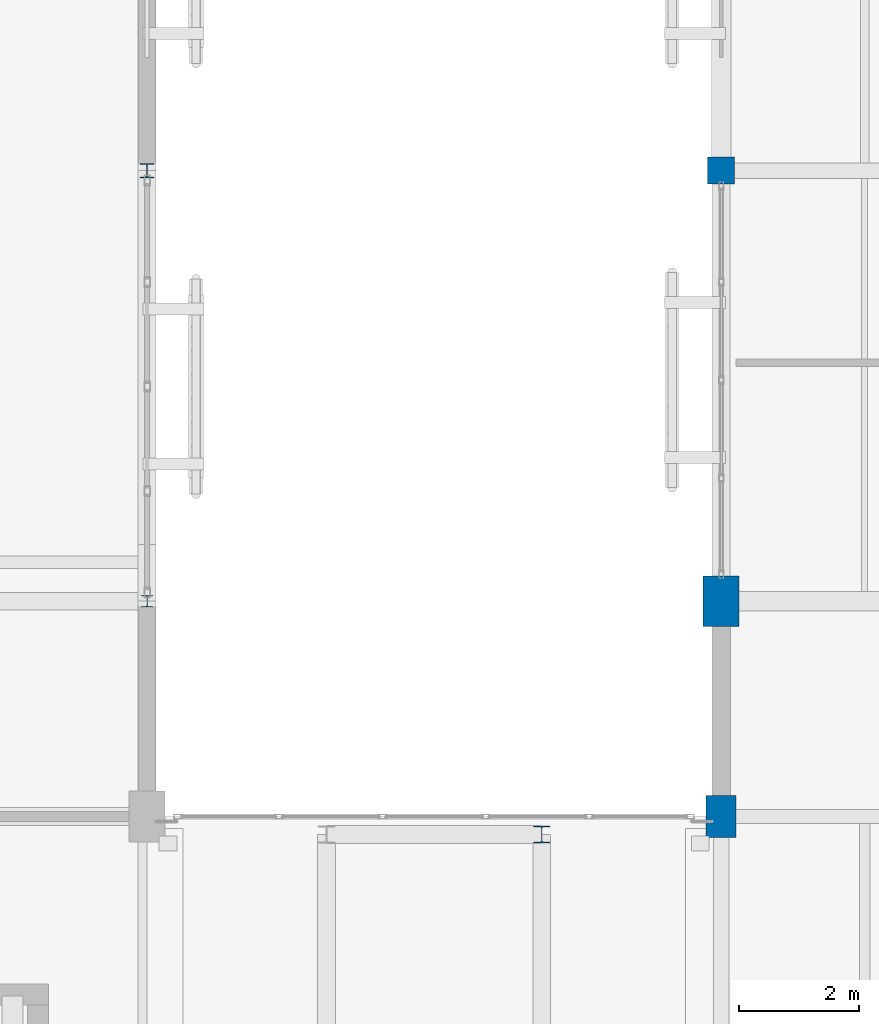
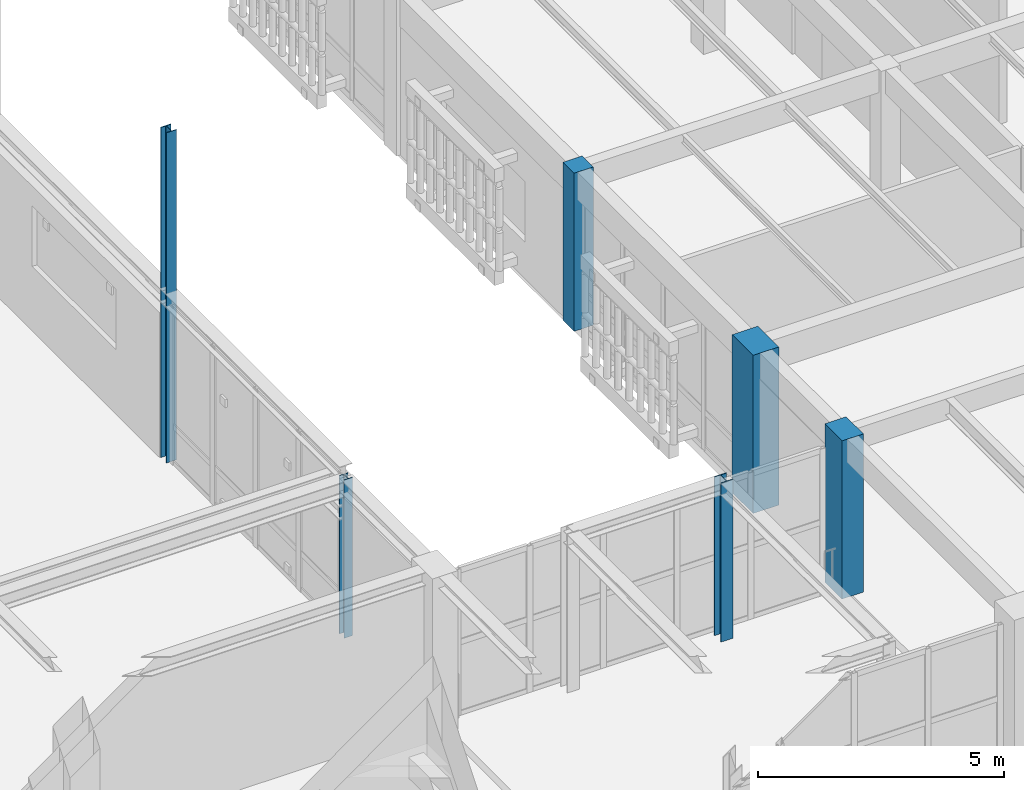
# One storey, part 14 of 170: 6 columns.
"""IFC4 building model written with IfcOpenShell, lengths in metres."""

from ifc_helpers import new_model, si_unit, direction, frame, origin, origin_2d, place, context, subcontext, project, spatial, rectangle, i_section, extrude, material, material_profile, profile_set, type_object, element, save


model = new_model("IFC4")

# Units and contexts
model_context = context("Model", 3, precision=1e-05, world=origin(), true_north=direction((0.0, 1.0)))
body_context = subcontext(model_context, "Body", "Model", "MODEL_VIEW")
ifc_project = project(units=[si_unit("LENGTHUNIT", "METRE"), si_unit("AREAUNIT", "SQUARE_METRE"), si_unit("VOLUMEUNIT", "CUBIC_METRE"), si_unit("PLANEANGLEUNIT", "RADIAN"), si_unit("MASSUNIT", "GRAM", prefix="KILO")], contexts=[model_context])

# Site, building, storey
site_placement = place(None, origin())
site = spatial("IfcSite", under=ifc_project, at=site_placement, CompositionType="ELEMENT")
building_placement = place(site_placement, origin())
building = spatial("IfcBuilding", under=site, at=building_placement, Name="Mazaris Harbour Polytechnic", CompositionType="ELEMENT")
storey_placement = place(building_placement, frame((0.0, 0.0, 5.39990234375)))
storey = spatial("IfcBuildingStorey", under=building, at=storey_placement, Name="L01", CompositionType="ELEMENT", Elevation=5.39990234375)

# Columns
ifc_material_1 = material(Name="Concrete C40/50", Category="concrete")
ifc_material_profile_1 = material_profile(ifc_material_1, rectangle(XDim=0.449951171875, YDim=0.449951171875, at=origin_2d()), Name="RECT450x450")
ifc_profile_set_1 = profile_set([ifc_material_profile_1], Name="Concrete C40/50")
column_type_1 = type_object("IfcColumnType", Name="RC Column 450x450 Exterior", PredefinedType="COLUMN", material=ifc_profile_set_1)
column_1_placement = place(storey_placement, frame((122.39990234375, 93.60009765625, 0.0), z_axis=(0.0, 0.0, 1.0), x_axis=(1.0, 0.0, 0.0)))
element("IfcColumn", 1, at=column_1_placement, inside=storey, type_object=column_type_1, Name="V5 L01 Column 1259", PredefinedType="COLUMN", context=body_context, shape_type="SweptSolid", body=[
    extrude(rectangle(XDim=0.449951171875, YDim=0.449951171875, at=origin_2d()), origin(), (0.0, 0.0, 1.0), 3.920166015625),
])
ifc_material_2 = material(Name="Concrete C40/50", Category="concrete")
ifc_material_profile_2 = material_profile(ifc_material_2, rectangle(XDim=0.5, YDim=0.699951171875, at=origin_2d()), Name="RECT500x700")
ifc_profile_set_2 = profile_set([ifc_material_profile_2], Name="Concrete C40/50")
column_type_2 = type_object("IfcColumnType", Name="RC Column 500x700 Exterior", PredefinedType="COLUMN", material=ifc_profile_set_2)
column_2_placement = place(storey_placement, frame((122.39990234375, 82.800048828125, 0.0), z_axis=(0.0, 0.0, 1.0), x_axis=(1.0, 0.0, 0.0)))
element("IfcColumn", 2, at=column_2_placement, inside=storey, type_object=column_type_2, Name="V5 L01 Column 1257", PredefinedType="COLUMN", context=body_context, shape_type="SweptSolid", body=[
    extrude(rectangle(XDim=0.5, YDim=0.699951171875, at=origin_2d()), origin(), (0.0, 0.0, 1.0), 3.920166015625),
])
ifc_material_3 = material(Name="Concrete C40/50", Category="concrete")
ifc_material_profile_3 = material_profile(ifc_material_3, rectangle(XDim=0.60009765625, YDim=0.85009765625, at=origin_2d()), Name="RECT600x850")
ifc_profile_set_3 = profile_set([ifc_material_profile_3], Name="Concrete C40/50")
column_type_3 = type_object("IfcColumnType", Name="RC Column 600x850 Exterior", PredefinedType="COLUMN", material=ifc_profile_set_3)
column_3_placement = place(storey_placement, frame((122.39990234375, 86.39990234375, 0.0), z_axis=(0.0, 0.0, 1.0), x_axis=(1.0, 0.0, 0.0)))
element("IfcColumn", 3, at=column_3_placement, inside=storey, type_object=column_type_3, Name="V5 L01 Column 1258", PredefinedType="COLUMN", context=body_context, shape_type="SweptSolid", body=[
    extrude(rectangle(XDim=0.60009765625, YDim=0.85009765625, at=origin_2d()), origin(), (0.0, 0.0, 1.0), 3.920166015625),
])
ifc_material_4 = material(Name="Steel S355", Category="steel")
ifc_material_profile_4 = material_profile(ifc_material_4, i_section(OverallWidth=0.199951171875, OverallDepth=0.199951171875, WebThickness=0.009033203125, FlangeThickness=0.014892578125, FilletRadius=0.01806640625, at=origin_2d()), Name="HEB 200")
ifc_profile_set_4 = profile_set([ifc_material_profile_4], Name="Steel S355")
column_type_4 = type_object("IfcColumnType", Name="Steel Column HEB200 Exterior", PredefinedType="COLUMN", material=ifc_profile_set_4)
column_4_placement = place(storey_placement, frame((112.800048828125, 86.39990234375, 0.0), z_axis=(0.0, 0.0, 1.0), x_axis=(1.0, 0.0, 0.0)))
element("IfcColumn", 4, at=column_4_placement, inside=storey, type_object=column_type_4, Name="V1 L01 Column 149", PredefinedType="COLUMN", context=body_context, shape_type="SweptSolid", body=[
    extrude(i_section(OverallWidth=0.199951171875, OverallDepth=0.199951171875, WebThickness=0.009033203125, FlangeThickness=0.014892578125, FilletRadius=0.01806640625, at=origin_2d()), origin(), (0.0, 0.0, 1.0), 3.920166015625),
])
ifc_material_5 = material(Name="Steel S355", Category="steel")
ifc_material_profile_5 = material_profile(ifc_material_5, i_section(OverallWidth=0.239990234375, OverallDepth=0.239990234375, WebThickness=0.010009765625, FlangeThickness=0.01708984375, FilletRadius=0.02099609375, at=origin_2d()), Name="HEB 240")
ifc_profile_set_5 = profile_set([ifc_material_profile_5], Name="Steel S355")
column_type_5 = type_object("IfcColumnType", Name="Steel Column HEB240", PredefinedType="COLUMN", material=ifc_profile_set_5)
column_5_placement = place(storey_placement, frame((112.800048828125, 93.60009765625, 0.0), z_axis=(0.0, 0.0, 1.0), x_axis=(1.0, 0.0, 0.0)))
element("IfcColumn", 5, at=column_5_placement, inside=storey, type_object=column_type_5, Name="V1 L01 Column 150", PredefinedType="COLUMN", context=body_context, shape_type="SweptSolid", body=[
    extrude(i_section(OverallWidth=0.239990234375, OverallDepth=0.239990234375, WebThickness=0.010009765625, FlangeThickness=0.01708984375, FilletRadius=0.02099609375, at=origin_2d()), origin(), (0.0, 0.0, 1.0), 8.18017578125),
])
ifc_material_6 = material(Name="Steel S355", Category="steel")
ifc_material_profile_6 = material_profile(ifc_material_6, i_section(OverallWidth=0.280029296875, OverallDepth=0.280029296875, WebThickness=0.010498046875, FlangeThickness=0.01806640625, FilletRadius=0.02392578125, at=origin_2d()), Name="HEB 280")
ifc_profile_set_6 = profile_set([ifc_material_profile_6], Name="Steel S355")
column_type_6 = type_object("IfcColumnType", Name="Steel Column HEB280 Exterior", PredefinedType="COLUMN", material=ifc_profile_set_6)
column_6_placement = place(storey_placement, frame((119.39990234375, 82.5, 0.0), z_axis=(0.0, 0.0, 1.0), x_axis=(1.0, 0.0, 0.0)))
element("IfcColumn", 6, at=column_6_placement, inside=storey, type_object=column_type_6, Name="PB-E2 L01 Bridge Column 1575", PredefinedType="COLUMN", context=body_context, shape_type="SweptSolid", body=[
    extrude(i_section(OverallWidth=0.280029296875, OverallDepth=0.280029296875, WebThickness=0.010498046875, FlangeThickness=0.01806640625, FilletRadius=0.02392578125, at=origin_2d()), origin(), (0.0, 0.0, 1.0), 3.93505859375),
])

save(model, "model.ifc")
